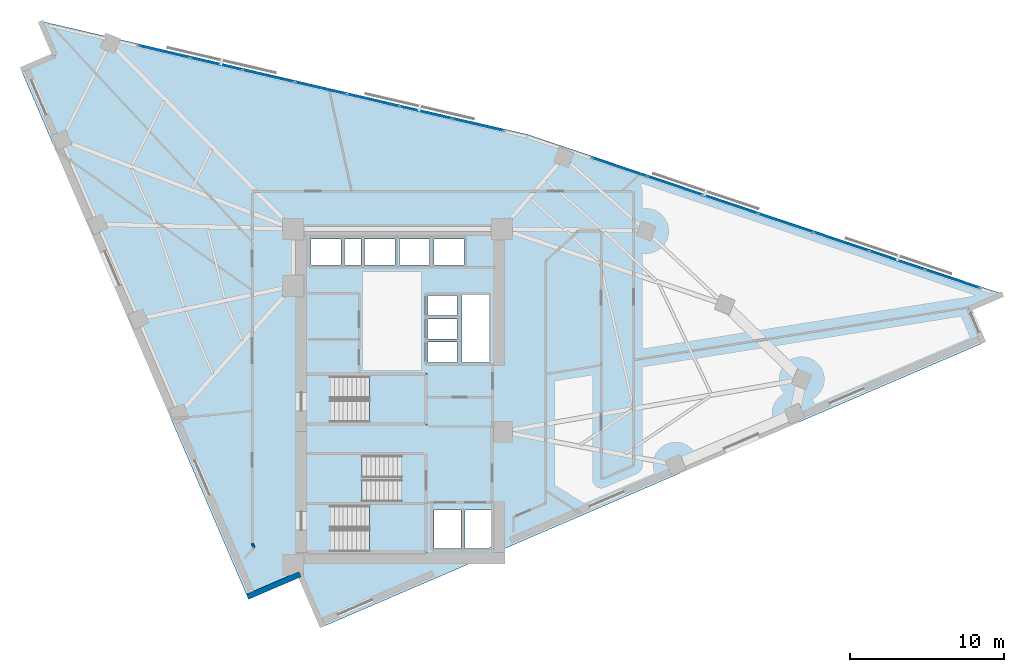
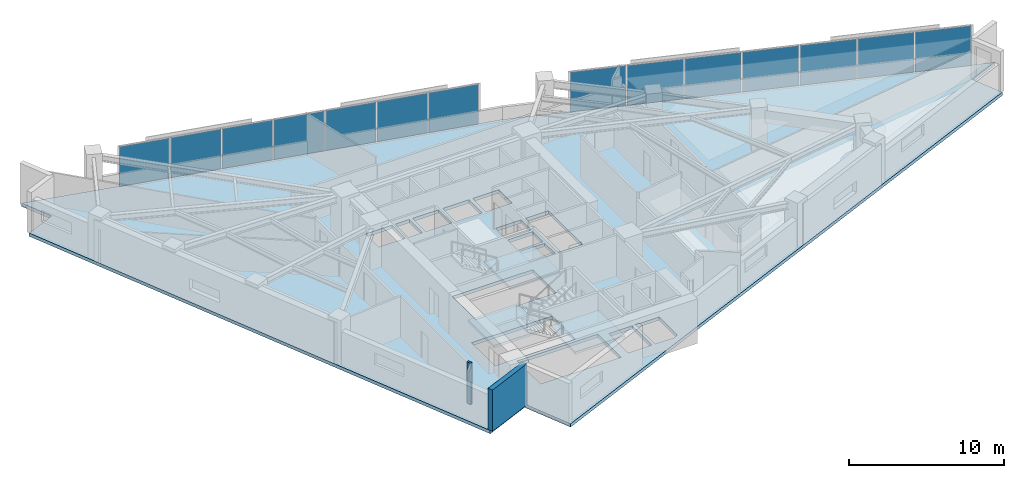
# One storey, part 8 of 14: 14 plates, 4 slabs, 2 walls, 5 elements without a shape of their own.
"""IFC4 building model written with IfcOpenShell, lengths in metres."""

from ifc_helpers import new_model, si_unit, direction, frame, frame_2d, origin, origin_2d, place, context, subcontext, project, spatial, polyline, rectangle, outline, extrude, material, layer, layer_set, type_object, element, aggregate, save


model = new_model("IFC4")

# Units and contexts
model_context = context("Model", 3, precision=1e-05, world=origin(), true_north=direction((0.0, 1.0)))
body_context = subcontext(model_context, "Body", "Model", "MODEL_VIEW")
ifc_project = project(units=[si_unit("LENGTHUNIT", "METRE"), si_unit("AREAUNIT", "SQUARE_METRE"), si_unit("VOLUMEUNIT", "CUBIC_METRE"), si_unit("PLANEANGLEUNIT", "RADIAN"), si_unit("MASSUNIT", "GRAM", prefix="KILO")], contexts=[model_context])

# Site, building, storey
site_placement = place(None, origin())
site = spatial("IfcSite", under=ifc_project, at=site_placement, CompositionType="ELEMENT")
building_placement = place(site_placement, origin())
building = spatial("IfcBuilding", under=site, at=building_placement, Name="Narakoshi Arena Tower", CompositionType="ELEMENT")
storey_placement = place(building_placement, frame((0.0, 0.0, 179.10009765625)))
storey = spatial("IfcBuildingStorey", under=building, at=storey_placement, Name="L48", CompositionType="ELEMENT", Elevation=179.10009765625)

# Curtain wall, plates
ifc_material_1 = material(Name="Anodised bronze aluminium 6063-T6", Category="aluminium")
curtain_wall_type = type_object("IfcCurtainWallType", Name="CW-HYP-MID", PredefinedType="NOTDEFINED", material=ifc_material_1)
curtain_wall_1_placement = place(storey_placement, origin())
curtain_wall_1 = element("IfcCurtainWall", 1, at=curtain_wall_1_placement, inside=storey, type_object=curtain_wall_type, Name="L48 Folded Hypotenuse Curtain Wall 1-1", PredefinedType="NOTDEFINED")
ifc_material_2 = material(Name="Bronze-tinted low-E laminated glass", Category="glass")
ifc_layer_1 = layer(ifc_material_2, 0.0380859375)
ifc_layer_set_1 = layer_set([ifc_layer_1], Name="Bronze-tinted low-E laminated glass")
plate_type = type_object("IfcPlateType", Name="PLT-GLZ-38", PredefinedType="CURTAIN_PANEL", material=ifc_layer_set_1)
plate_1_placement = place(storey_placement, frame((114.78466796875, 53.2509765625, 0.06494140625), z_axis=(0.0, 0.0, 1.0), x_axis=(-0.948003144077, 0.318260960253, 0.0)))
plate_1 = element("IfcPlate", 2, at=plate_1_placement, type_object=plate_type, Name="CW-02 panel 1.1", PredefinedType="CURTAIN_PANEL", context=body_context, shape_type="SweptSolid", body=[
    extrude(rectangle(XDim=3.69287109375, YDim=0.0380859375, at=origin_2d()), origin(), (0.0, 0.0, 1.0), 3.1298828125),
])
plate_2_placement = place(storey_placement, frame((111.19482421875, 54.4560546875, 0.06494140625), z_axis=(0.0, 0.0, 1.0), x_axis=(-0.948003144077, 0.318260960253, 0.0)))
plate_2 = element("IfcPlate", 3, at=plate_2_placement, type_object=plate_type, Name="CW-02 panel 2.1", PredefinedType="CURTAIN_PANEL", context=body_context, shape_type="SweptSolid", body=[
    extrude(rectangle(XDim=3.73046875, YDim=0.0380859375, at=origin_2d()), origin(), (0.0, 0.0, 1.0), 3.1298828125),
])
plate_3_placement = place(storey_placement, frame((107.58740234375, 55.667236328125, 0.06494140625), z_axis=(0.0, 0.0, 1.0), x_axis=(-0.948003144077, 0.318260960253, 0.0)))
plate_3 = element("IfcPlate", 4, at=plate_3_placement, type_object=plate_type, Name="CW-02 panel 3.1", PredefinedType="CURTAIN_PANEL", context=body_context, shape_type="SweptSolid", body=[
    extrude(rectangle(XDim=3.73046875, YDim=0.0380859375, at=origin_2d()), origin(), (0.0, 0.0, 1.0), 3.1298828125),
])
plate_4_placement = place(storey_placement, frame((103.979736328125, 56.87841796875, 0.06494140625), z_axis=(0.0, 0.0, 1.0), x_axis=(-0.948003144077, 0.318260960253, 0.0)))
plate_4 = element("IfcPlate", 5, at=plate_4_placement, type_object=plate_type, Name="CW-02 panel 4.1", PredefinedType="CURTAIN_PANEL", context=body_context, shape_type="SweptSolid", body=[
    extrude(rectangle(XDim=3.73046875, YDim=0.0380859375, at=origin_2d()), origin(), (0.0, 0.0, 1.0), 3.1298828125),
])
plate_5_placement = place(storey_placement, frame((100.3720703125, 58.089599609375, 0.06494140625), z_axis=(0.0, 0.0, 1.0), x_axis=(-0.948003144077, 0.318260960253, 0.0)))
plate_5 = element("IfcPlate", 6, at=plate_5_placement, type_object=plate_type, Name="CW-02 panel 5.1", PredefinedType="CURTAIN_PANEL", context=body_context, shape_type="SweptSolid", body=[
    extrude(rectangle(XDim=3.73046875, YDim=0.0380859375, at=origin_2d()), origin(), (0.0, 0.0, 1.0), 3.1298828125),
])
plate_6_placement = place(storey_placement, frame((96.7646484375, 59.300537109375, 0.06494140625), z_axis=(0.0, 0.0, 1.0), x_axis=(-0.948003144077, 0.318260960253, 0.0)))
plate_6 = element("IfcPlate", 7, at=plate_6_placement, type_object=plate_type, Name="CW-02 panel 6.1", PredefinedType="CURTAIN_PANEL", context=body_context, shape_type="SweptSolid", body=[
    extrude(rectangle(XDim=3.73046875, YDim=0.0380859375, at=origin_2d()), origin(), (0.0, 0.0, 1.0), 3.1298828125),
])
plate_7_placement = place(storey_placement, frame((93.1748046875, 60.505859375, 0.06494140625), z_axis=(0.0, 0.0, 1.0), x_axis=(-0.948003144077, 0.318260960253, 0.0)))
plate_7 = element("IfcPlate", 8, at=plate_7_placement, type_object=plate_type, Name="CW-02 panel 7.1", PredefinedType="CURTAIN_PANEL", context=body_context, shape_type="SweptSolid", body=[
    extrude(rectangle(XDim=3.69287109375, YDim=0.0380859375, at=origin_2d()), origin(), (0.0, 0.0, 1.0), 3.1298828125),
])
aggregate(curtain_wall_1, [plate_1, plate_2, plate_3, plate_4, plate_5, plate_6, plate_7])

curtain_wall_2_placement = place(storey_placement, origin())
curtain_wall_2 = element("IfcCurtainWall", 9, at=curtain_wall_2_placement, inside=storey, type_object=curtain_wall_type, Name="L48 Folded Hypotenuse Curtain Wall 2-1", PredefinedType="NOTDEFINED")
plate_8_placement = place(storey_placement, frame((83.994384765625, 63.260986328125, 0.06494140625), z_axis=(0.0, 0.0, 1.0), x_axis=(-0.973959704148, 0.226721182724, 0.0)))
plate_8 = element("IfcPlate", 10, at=plate_8_placement, type_object=plate_type, Name="CW-02 panel 1.1", PredefinedType="CURTAIN_PANEL", context=body_context, shape_type="SweptSolid", body=[
    extrude(rectangle(XDim=3.37939453125, YDim=0.0380859375, at=origin_2d()), origin(), (0.0, 0.0, 1.0), 3.1298828125),
])
plate_9_placement = place(storey_placement, frame((80.61181640625, 64.048583984375, 0.06494140625), z_axis=(0.0, 0.0, 1.0), x_axis=(-0.973959704148, 0.226721182724, 0.0)))
plate_9 = element("IfcPlate", 11, at=plate_9_placement, type_object=plate_type, Name="CW-02 panel 2.1", PredefinedType="CURTAIN_PANEL", context=body_context, shape_type="SweptSolid", body=[
    extrude(rectangle(XDim=3.416748046875, YDim=0.0380859375, at=origin_2d()), origin(), (0.0, 0.0, 1.0), 3.1298828125),
])
plate_10_placement = place(storey_placement, frame((77.2109375, 64.840087890625, 0.06494140625), z_axis=(0.0, 0.0, 1.0), x_axis=(-0.973959704148, 0.226721182724, 0.0)))
plate_10 = element("IfcPlate", 12, at=plate_10_placement, type_object=plate_type, Name="CW-02 panel 3.1", PredefinedType="CURTAIN_PANEL", context=body_context, shape_type="SweptSolid", body=[
    extrude(rectangle(XDim=3.416748046875, YDim=0.0380859375, at=origin_2d()), origin(), (0.0, 0.0, 1.0), 3.1298828125),
])
plate_11_placement = place(storey_placement, frame((73.81005859375, 65.6318359375, 0.06494140625), z_axis=(0.0, 0.0, 1.0), x_axis=(-0.973959704148, 0.226721182724, 0.0)))
plate_11 = element("IfcPlate", 13, at=plate_11_placement, type_object=plate_type, Name="CW-02 panel 4.1", PredefinedType="CURTAIN_PANEL", context=body_context, shape_type="SweptSolid", body=[
    extrude(rectangle(XDim=3.416748046875, YDim=0.0380859375, at=origin_2d()), origin(), (0.0, 0.0, 1.0), 3.1298828125),
])
plate_12_placement = place(storey_placement, frame((70.4091796875, 66.423583984375, 0.06494140625), z_axis=(0.0, 0.0, 1.0), x_axis=(-0.973959704148, 0.226721182724, 0.0)))
plate_12 = element("IfcPlate", 14, at=plate_12_placement, type_object=plate_type, Name="CW-02 panel 5.1", PredefinedType="CURTAIN_PANEL", context=body_context, shape_type="SweptSolid", body=[
    extrude(rectangle(XDim=3.416748046875, YDim=0.0380859375, at=origin_2d()), origin(), (0.0, 0.0, 1.0), 3.1298828125),
])
plate_13_placement = place(storey_placement, frame((67.00830078125, 67.215087890625, 0.06494140625), z_axis=(0.0, 0.0, 1.0), x_axis=(-0.973959704148, 0.226721182724, 0.0)))
plate_13 = element("IfcPlate", 15, at=plate_13_placement, type_object=plate_type, Name="CW-02 panel 6.1", PredefinedType="CURTAIN_PANEL", context=body_context, shape_type="SweptSolid", body=[
    extrude(rectangle(XDim=3.416748046875, YDim=0.0380859375, at=origin_2d()), origin(), (0.0, 0.0, 1.0), 3.1298828125),
])
plate_14_placement = place(storey_placement, frame((63.625732421875, 68.002685546875, 0.06494140625), z_axis=(0.0, 0.0, 1.0), x_axis=(-0.973959704148, 0.226721182724, 0.0)))
plate_14 = element("IfcPlate", 16, at=plate_14_placement, type_object=plate_type, Name="CW-02 panel 7.1", PredefinedType="CURTAIN_PANEL", context=body_context, shape_type="SweptSolid", body=[
    extrude(rectangle(XDim=3.37939453125, YDim=0.0380859375, at=origin_2d()), origin(), (0.0, 0.0, 1.0), 3.1298828125),
])
aggregate(curtain_wall_2, [plate_8, plate_9, plate_10, plate_11, plate_12, plate_13, plate_14])

# Stair, slab
ifc_material_3 = material(Name="Concrete C45/55", Category="concrete")
stair_type = type_object("IfcStairType", Name="STR-CORE-352", PredefinedType="TWO_STRAIGHT_RUN_STAIR", material=ifc_material_3)
stair_1_placement = place(storey_placement, origin())
stair_1 = element("IfcStair", 17, at=stair_1_placement, inside=storey, type_object=stair_type, Name="L48 Core Escape Stair ST1", PredefinedType="TWO_STRAIGHT_RUN_STAIR")
ifc_layer_2 = layer(ifc_material_3, 0.18994140625)
ifc_layer_set_2 = layer_set([ifc_layer_2], Name="Concrete C45/55")
slab_type_1 = type_object("IfcSlabType", Name="SLB-LND-190", PredefinedType="LANDING", material=ifc_layer_set_2)
slab_1_placement = place(storey_placement, frame((0.0, 0.0, 1.56982421875)))
slab_1 = element("IfcSlab", 18, at=slab_1_placement, type_object=slab_type_1, Name="ST1 landing 1", PredefinedType="LANDING", context=body_context, shape_type="SweptSolid", body=[
    extrude(outline(polyline([(76.965087890625, 35.3701171875), (80.679931640625, 35.3701171875), (80.679931640625, 38.72998046875), (76.965087890625, 38.72998046875), (76.965087890625, 35.3701171875)])), origin(), (0.0, 0.0, 1.0), 0.190185546875),
])
aggregate(stair_1, [slab_1])

stair_2_placement = place(storey_placement, origin())
stair_2 = element("IfcStair", 19, at=stair_2_placement, inside=storey, type_object=stair_type, Name="L48 Core Escape Stair ST2", PredefinedType="TWO_STRAIGHT_RUN_STAIR")
slab_2_placement = place(storey_placement, frame((0.0, 0.0, 1.56982421875)))
slab_2 = element("IfcSlab", 20, at=slab_2_placement, type_object=slab_type_1, Name="ST2 landing 1", PredefinedType="LANDING", context=body_context, shape_type="SweptSolid", body=[
    extrude(outline(polyline([(72.77001953125, 38.6201171875), (76.485107421875, 38.6201171875), (76.485107421875, 41.97998046875), (72.77001953125, 41.97998046875), (72.77001953125, 38.6201171875)])), origin(), (0.0, 0.0, 1.0), 0.190185546875),
])
aggregate(stair_2, [slab_2])

stair_3_placement = place(storey_placement, origin())
stair_3 = element("IfcStair", 21, at=stair_3_placement, inside=storey, type_object=stair_type, Name="L48 Core Escape Stair ST3", PredefinedType="TWO_STRAIGHT_RUN_STAIR")
slab_3_placement = place(storey_placement, frame((0.0, 0.0, 1.56982421875)))
slab_3 = element("IfcSlab", 22, at=slab_3_placement, type_object=slab_type_1, Name="ST3 landing 1", PredefinedType="LANDING", context=body_context, shape_type="SweptSolid", body=[
    extrude(outline(polyline([(76.965087890625, 43.77001953125), (80.679931640625, 43.77001953125), (80.679931640625, 47.1298828125), (76.965087890625, 47.1298828125), (76.965087890625, 43.77001953125)])), origin(), (0.0, 0.0, 1.0), 0.190185546875),
])
aggregate(stair_3, [slab_3])

# Slab
ifc_material_4 = material(Name="Concrete C50/60", Category="concrete")
ifc_layer_3 = layer(ifc_material_4, 0.260009765625)
ifc_layer_set_3 = layer_set([ifc_layer_3], Name="Concrete C50/60")
slab_type_2 = type_object("IfcSlabType", Name="SLB-SKY-260", PredefinedType="FLOOR", material=ifc_layer_set_3)
slab_4_placement = place(storey_placement, frame((0.0, 0.0, -0.260009765625)))
element("IfcSlab", 23, at=slab_4_placement, inside=storey, type_object=slab_type_2, Name="L48 Structural Floor Slab", PredefinedType="FLOOR", context=body_context, shape_type="SweptSolid", body=[
    extrude(outline(polyline([(73.9169921875, 30.68115234375), (116.8017578125, 49.105712890625), (115.84912109375, 51.3232421875), (118.06640625, 52.27587890625), (87.201416015625, 62.6376953125), (55.614013671875, 69.99072265625), (56.56640625, 67.7734375), (54.34912109375, 66.82080078125), (69.0400390625, 32.626708984375), (72.451416015625, 34.09228515625), (73.9169921875, 30.68115234375)]), holes=[polyline([(80.5, 35.550048828125), (74.47998046875, 35.550048828125), (74.47998046875, 38.550048828125), (80.5, 38.550048828125), (80.5, 35.550048828125)]), polyline([(82.89990234375, 35.75), (81.14990234375, 35.75), (81.14990234375, 38.25), (82.89990234375, 38.25), (82.89990234375, 35.75)]), polyline([(84.5751953125, 35.75), (83.14990234375, 35.75), (83.14990234375, 38.25), (84.89990234375, 38.25), (84.89990234375, 35.889404296875), (84.5751953125, 35.75)]), polyline([(72.949951171875, 38.800048828125), (72.949951171875, 41.800048828125), (78.969970703125, 41.800048828125), (78.969970703125, 38.800048828125), (72.949951171875, 38.800048828125)]), polyline([(74.47998046875, 43.949951171875), (74.47998046875, 46.949951171875), (80.5, 46.949951171875), (80.5, 43.949951171875), (74.47998046875, 43.949951171875)]), polyline([(82.949951171875, 47.840087890625), (82.949951171875, 52.199951171875), (84.699951171875, 52.199951171875), (84.699951171875, 47.840087890625), (82.949951171875, 47.840087890625)]), polyline([(80.75, 47.85009765625), (80.75, 49.14990234375), (82.64990234375, 49.14990234375), (82.64990234375, 47.85009765625), (80.75, 47.85009765625)]), polyline([(80.75, 49.3701171875), (80.75, 50.669921875), (82.64990234375, 50.669921875), (82.64990234375, 49.3701171875), (80.75, 49.3701171875)]), polyline([(80.75, 50.889892578125), (80.75, 52.18994140625), (82.64990234375, 52.18994140625), (82.64990234375, 50.889892578125), (80.75, 50.889892578125)]), polyline([(73.14990234375, 54.14990234375), (73.14990234375, 55.85009765625), (75.10009765625, 55.85009765625), (75.10009765625, 54.14990234375), (73.14990234375, 54.14990234375)]), polyline([(75.35009765625, 54.14990234375), (75.35009765625, 55.85009765625), (76.39990234375, 55.85009765625), (76.39990234375, 54.14990234375), (75.35009765625, 54.14990234375)]), polyline([(76.64990234375, 54.14990234375), (76.64990234375, 55.85009765625), (78.60009765625, 55.85009765625), (78.60009765625, 54.14990234375), (76.64990234375, 54.14990234375)]), polyline([(78.89990234375, 54.14990234375), (78.89990234375, 55.85009765625), (80.85009765625, 55.85009765625), (80.85009765625, 54.14990234375), (78.89990234375, 54.14990234375)]), polyline([(81.14990234375, 54.14990234375), (81.14990234375, 55.85009765625), (83.10009765625, 55.85009765625), (83.10009765625, 54.14990234375), (81.14990234375, 54.14990234375)])]), origin(), (0.0, 0.0, 1.0), 0.260009765625),
])

# Walls
ifc_material_5 = material(Name="Precast concrete C45/55", Category="concrete")
ifc_layer_4 = layer(ifc_material_5, 0.419921875)
ifc_layer_set_4 = layer_set([ifc_layer_4], Name="Precast concrete C45/55")
wall_type_1 = type_object("IfcWallType", Name="WL-POD-420", PredefinedType="SOLIDWALL", material=ifc_layer_set_4)
wall_1_placement = place(storey_placement, frame((69.0400390625, 32.626708984375, 0.0), z_axis=(0.0, 0.0, 1.0), x_axis=(0.91879775808, 0.394728615312, 0.0)))
element("IfcWall", 24, at=wall_1_placement, inside=storey, type_object=wall_type_1, Name="L48 Re-Entrant Corner Notch Wall NTA-1", PredefinedType="SOLIDWALL", context=body_context, shape_type="SweptSolid", body=[
    extrude(rectangle(XDim=3.712890625, YDim=0.360107421875, at=frame_2d((1.8564453125, 0.0))), origin(), (0.0, 0.0, 1.0), 3.260009765625),
])
ifc_material_6 = material(Name="Moisture-resistant cement-board partition")
ifc_layer_5 = layer(ifc_material_6, 0.14501953125)
ifc_layer_set_5 = layer_set([ifc_layer_5], Name="Moisture-resistant cement-board partition")
wall_type_2 = type_object("IfcWallType", Name="WL-WET-145", PredefinedType="PARTITIONING", material=ifc_layer_set_5)
wall_2_placement = place(storey_placement, frame((69.344970703125, 36.09716796875, 0.0), z_axis=(0.0, 0.0, 1.0), x_axis=(0.394472817694, -0.918907610209, 0.0)))
element("IfcWall", 25, at=wall_2_placement, inside=storey, type_object=wall_type_2, Name="L48 Corridor Partition 01-2", PredefinedType="PARTITIONING", context=body_context, shape_type="SweptSolid", body=[
    extrude(rectangle(XDim=0.3193359375, YDim=0.14501953125, at=frame_2d((0.15966796875, 0.0))), origin(), (0.0, 0.0, 1.0), 3.260009765625),
])

save(model, "model.ifc")
